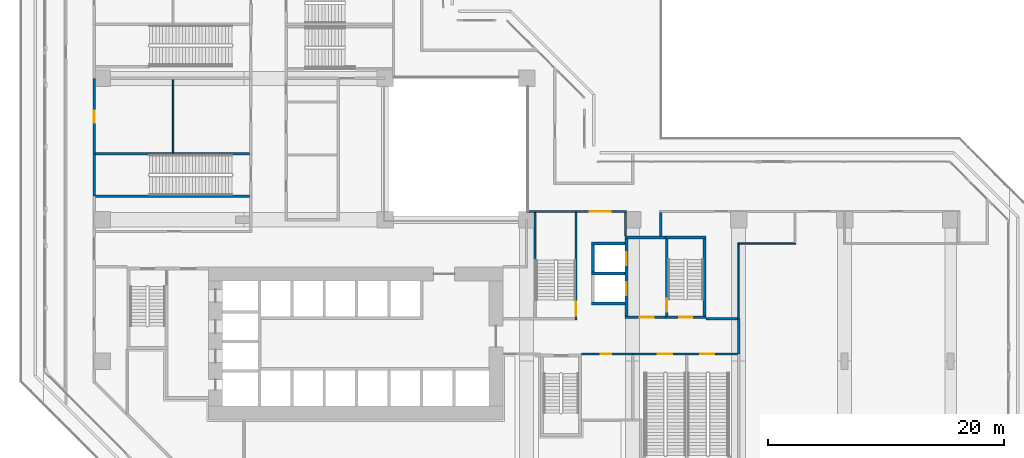
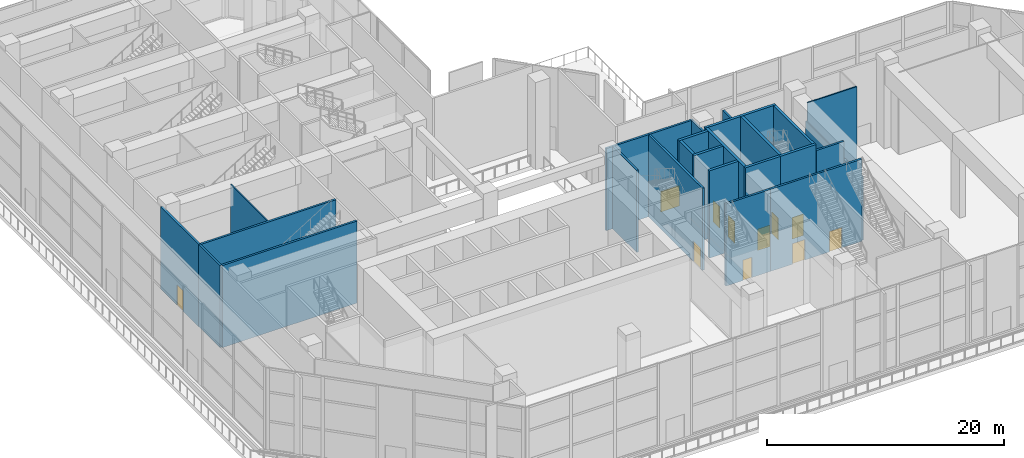
# One storey, part 14 of 28: 28 walls, 11 doors, 11 openings.
"""IFC4 building model written with IfcOpenShell, lengths in metres."""

from ifc_helpers import new_model, si_unit, direction, frame, frame_2d, origin, place, context, subcontext, project, spatial, rectangle, extrude, material, layer, layer_set, type_object, element, fill, save


model = new_model("IFC4")

# Units and contexts
model_context = context("Model", 3, precision=1e-05, world=origin(), true_north=direction((0.0, 1.0)))
body_context = subcontext(model_context, "Body", "Model", "MODEL_VIEW")
ifc_project = project(units=[si_unit("LENGTHUNIT", "METRE"), si_unit("AREAUNIT", "SQUARE_METRE"), si_unit("VOLUMEUNIT", "CUBIC_METRE"), si_unit("PLANEANGLEUNIT", "RADIAN"), si_unit("MASSUNIT", "GRAM", prefix="KILO")], contexts=[model_context])

# Site, building, storey
site_placement = place(None, origin())
site = spatial("IfcSite", under=ifc_project, at=site_placement, CompositionType="ELEMENT")
building_placement = place(site_placement, origin())
building = spatial("IfcBuilding", under=site, at=building_placement, Name="Chenar Terraces", CompositionType="ELEMENT")
storey_placement = place(building_placement, frame((0.0, 0.0, 26.39990234375)))
storey = spatial("IfcBuildingStorey", under=building, at=storey_placement, Name="L05", CompositionType="ELEMENT", Elevation=26.39990234375)

# Walls
ifc_material_1 = material(Name="Gypsum board on steel studs with mineral wool", Category="steel")
ifc_layer_1 = layer(ifc_material_1, 0.125)
ifc_layer_set_1 = layer_set([ifc_layer_1], Name="Gypsum board on steel studs with mineral wool")
wall_type_1 = type_object("IfcWallType", Name="Acoustic partition 125", PredefinedType="PARTITIONING", material=ifc_layer_set_1)
wall_1_placement = place(storey_placement, frame((6.0, 29.699951171875, 0.0), z_axis=(0.0, 0.0, 1.0), x_axis=(0.0, 1.0, 0.0)))
element("IfcWall", 1, at=wall_1_placement, inside=storey, type_object=wall_type_1, Name="Partition L05-027", PredefinedType="PARTITIONING", context=body_context, shape_type="SweptSolid", body=[
    extrude(rectangle(XDim=6.199951171875, YDim=0.125, at=frame_2d((3.10009765625, 0.0))), origin(), (0.0, 0.0, 1.0), 8.4501953125),
])
wall_2_placement = place(storey_placement, frame((54.0, 15.60009765625, 0.0), z_axis=(0.0, 0.0, 1.0), x_axis=(0.0, 1.0, 0.0)))
element("IfcWall", 2, at=wall_2_placement, inside=storey, type_object=wall_type_1, Name="Partition L05-091", PredefinedType="PARTITIONING", context=body_context, shape_type="SweptSolid", body=[
    extrude(rectangle(XDim=6.4619140625, YDim=0.125, at=frame_2d((3.23095703125, 0.0))), origin(), (0.0, 0.0, 1.0), 6.550048828125),
])
wall_3_placement = place(storey_placement, frame((54.06201171875, 22.0, 0.0), z_axis=(0.0, 0.0, 1.0), x_axis=(1.0, 0.0, 0.0)))
element("IfcWall", 3, at=wall_3_placement, inside=storey, type_object=wall_type_1, Name="Partition L05-092", PredefinedType="PARTITIONING", context=body_context, shape_type="SweptSolid", body=[
    extrude(rectangle(XDim=4.800048828125, YDim=0.125, at=frame_2d((2.39990234375, 0.0))), origin(), (0.0, 0.0, 1.0), 8.4501953125),
])

# Wall, opening, door
ifc_material_2 = material(Name="Concrete C70/85", Category="concrete")
ifc_layer_2 = layer(ifc_material_2, 0.25)
ifc_layer_set_2 = layer_set([ifc_layer_2], Name="Concrete C70/85")
wall_type_2 = type_object("IfcWallType", Name="Core wall 250 Concrete C70/85", PredefinedType="SHEAR", material=ifc_layer_set_2)
wall_4_placement = place(storey_placement, frame((47.77490234375, 15.72509765625, 0.0), z_axis=(0.0, 0.0, 1.0), x_axis=(1.0, 0.0, 0.0)))
wall_4 = element("IfcWall", 4, at=wall_4_placement, inside=storey, type_object=wall_type_2, Name="Core wall ST3_S L05", PredefinedType="SHEAR", context=body_context, shape_type="SweptSolid", body=[
    extrude(rectangle(XDim=3.4501953125, YDim=0.25, at=frame_2d((1.72509765625, 0.0))), origin(), (0.0, 0.0, 1.0), 9.0),
])
opening_1_placement = place(wall_4_placement, frame((1.175048828125, 0.0, 0.0)))
opening_1 = element("IfcOpeningElement", 5, at=opening_1_placement, cuts=wall_4, Name="Opening DL05-C8", PredefinedType="OPENING", context=body_context, shape_type="SweptSolid", body=[
    extrude(rectangle(XDim=1.10009765625, YDim=2.199951171875, at=frame_2d((0.550048828125, 1.10009765625))), frame((0.0, 0.135009765625, 0.0), z_axis=(0.0, -1.0, 0.0), x_axis=(1.0, 0.0, 0.0)), (0.0, 0.0, 1.0), 0.27001953125),
])
ifc_material_3 = material(Name="Steel-framed fire-resisting door leaf", Category="steel")
door_type_1 = type_object("IfcDoorType", Name="Stair fire door FD60 1100 x 2200", OperationType="SINGLE_SWING_LEFT", PredefinedType="DOOR", material=ifc_material_3)
door_1_placement = place(opening_1_placement, frame((1.10009765625, 0.0, 0.0), z_axis=(0.0, 0.0, 1.0), x_axis=(-1.0, 0.0, 0.0)))
door_1 = element("IfcDoor", 6, at=door_1_placement, inside=storey, type_object=door_type_1, Name="Stair door DL05-C8", OperationType="SINGLE_SWING_LEFT", OverallHeight=2.199951171875, OverallWidth=1.10009765625, PredefinedType="DOOR", context=body_context, shape_type="SweptSolid", body=[
    extrude(rectangle(XDim=1.10009765625, YDim=2.199951171875, at=frame_2d((0.550048828125, 1.10009765625))), frame((0.0, 0.02490234375, 0.0), z_axis=(0.0, -1.0, 0.0), x_axis=(1.0, 0.0, 0.0)), (0.0, 0.0, 1.0), 0.050048828125),
])
fill(opening_1, door_1)

# Wall
wall_5_placement = place(storey_placement, frame((47.77490234375, 22.47509765625, 0.0), z_axis=(0.0, 0.0, 1.0), x_axis=(1.0, 0.0, 0.0)))
element("IfcWall", 7, at=wall_5_placement, inside=storey, type_object=wall_type_2, Name="Core wall ST3_N L05", PredefinedType="SHEAR", context=body_context, shape_type="SweptSolid", body=[
    extrude(rectangle(XDim=3.4501953125, YDim=0.25, at=frame_2d((1.72509765625, 0.0))), origin(), (0.0, 0.0, 1.0), 9.0),
])

# Wall, opening, door
wall_6_placement = place(storey_placement, frame((47.89990234375, 15.85009765625, 0.0), z_axis=(0.0, 0.0, 1.0), x_axis=(0.0, 1.0, 0.0)))
wall_6 = element("IfcWall", 8, at=wall_6_placement, inside=storey, type_object=wall_type_2, Name="Core wall ST3_W L05", PredefinedType="SHEAR", context=body_context, shape_type="SweptSolid", body=[
    extrude(rectangle(XDim=6.5, YDim=0.25, at=frame_2d((3.25, 0.0))), origin(), (0.0, 0.0, 1.0), 9.0),
])
opening_2_placement = place(wall_6_placement, frame((0.35009765625, 0.0, 0.0)))
opening_2 = element("IfcOpeningElement", 9, at=opening_2_placement, cuts=wall_6, Name="Opening DL05-C11", PredefinedType="OPENING", context=body_context, shape_type="SweptSolid", body=[
    extrude(rectangle(XDim=1.10009765625, YDim=2.199951171875, at=frame_2d((0.550048828125, 1.10009765625))), frame((0.0, 0.135009765625, 0.0), z_axis=(0.0, -1.0, 0.0), x_axis=(1.0, 0.0, 0.0)), (0.0, 0.0, 1.0), 0.27001953125),
])
door_2_placement = place(opening_2_placement, frame((1.10009765625, 0.0, 0.0), z_axis=(0.0, 0.0, 1.0), x_axis=(-1.0, 0.0, 0.0)))
door_2 = element("IfcDoor", 10, at=door_2_placement, inside=storey, type_object=door_type_1, Name="Stair door DL05-C11", OperationType="SINGLE_SWING_RIGHT", OverallHeight=2.199951171875, OverallWidth=1.10009765625, PredefinedType="DOOR", context=body_context, shape_type="SweptSolid", body=[
    extrude(rectangle(XDim=1.10009765625, YDim=2.199951171875, at=frame_2d((0.550048828125, 1.10009765625))), frame((0.0, 0.02490234375, 0.0), z_axis=(0.0, -1.0, 0.0), x_axis=(1.0, 0.0, 0.0)), (0.0, 0.0, 1.0), 0.050048828125),
])
fill(opening_2, door_2)

# Wall
wall_7_placement = place(storey_placement, frame((51.10009765625, 15.85009765625, 0.0), z_axis=(0.0, 0.0, 1.0), x_axis=(0.0, 1.0, 0.0)))
element("IfcWall", 11, at=wall_7_placement, inside=storey, type_object=wall_type_2, Name="Core wall ST3_E L05", PredefinedType="SHEAR", context=body_context, shape_type="SweptSolid", body=[
    extrude(rectangle(XDim=6.5, YDim=0.25, at=frame_2d((3.25, 0.0))), origin(), (0.0, 0.0, 1.0), 9.0),
])

# Wall, opening, door
wall_8_placement = place(storey_placement, frame((44.35009765625, 15.72509765625, 0.0), z_axis=(0.0, 0.0, 1.0), x_axis=(1.0, 0.0, 0.0)))
wall_8 = element("IfcWall", 12, at=wall_8_placement, inside=storey, type_object=wall_type_2, Name="Core wall F3_LS L05", PredefinedType="SHEAR", context=body_context, shape_type="SweptSolid", body=[
    extrude(rectangle(XDim=3.4248046875, YDim=0.25, at=frame_2d((1.71240234375, 0.0))), origin(), (0.0, 0.0, 1.0), 9.0),
])
opening_3_placement = place(wall_8_placement, frame((1.25, 0.0, 0.0)))
opening_3 = element("IfcOpeningElement", 13, at=opening_3_placement, cuts=wall_8, Name="Opening DL05-C10", PredefinedType="OPENING", context=body_context, shape_type="SweptSolid", body=[
    extrude(rectangle(XDim=1.199951171875, YDim=2.199951171875, at=frame_2d((0.60009765625, 1.10009765625))), frame((0.0, 0.135009765625, 0.0), z_axis=(0.0, -1.0, 0.0), x_axis=(1.0, 0.0, 0.0)), (0.0, 0.0, 1.0), 0.27001953125),
])
ifc_material_4 = material(Name="Steel-framed fire-resisting door leaf", Category="steel")
door_type_2 = type_object("IfcDoorType", Name="Lobby fire door FD60 1200 x 2200", OperationType="SINGLE_SWING_LEFT", PredefinedType="DOOR", material=ifc_material_4)
door_3_placement = place(opening_3_placement, origin())
door_3 = element("IfcDoor", 14, at=door_3_placement, inside=storey, type_object=door_type_2, Name="Core door DL05-C10", OperationType="SINGLE_SWING_RIGHT", OverallHeight=2.199951171875, OverallWidth=1.199951171875, PredefinedType="DOOR", context=body_context, shape_type="SweptSolid", body=[
    extrude(rectangle(XDim=1.199951171875, YDim=2.199951171875, at=frame_2d((0.60009765625, 1.10009765625))), frame((0.0, 0.02490234375, 0.0), z_axis=(0.0, -1.0, 0.0), x_axis=(1.0, 0.0, 0.0)), (0.0, 0.0, 1.0), 0.050048828125),
])
fill(opening_3, door_3)

# Wall
wall_9_placement = place(storey_placement, frame((44.35009765625, 22.47509765625, 0.0), z_axis=(0.0, 0.0, 1.0), x_axis=(1.0, 0.0, 0.0)))
element("IfcWall", 15, at=wall_9_placement, inside=storey, type_object=wall_type_2, Name="Core wall F3_LN L05", PredefinedType="SHEAR", context=body_context, shape_type="SweptSolid", body=[
    extrude(rectangle(XDim=3.4248046875, YDim=0.25, at=frame_2d((1.71240234375, 0.0))), origin(), (0.0, 0.0, 1.0), 9.0),
])

# Wall, openings, doors
wall_10_placement = place(storey_placement, frame((44.47509765625, 15.85009765625, 0.0), z_axis=(0.0, 0.0, 1.0), x_axis=(0.0, 1.0, 0.0)))
wall_10 = element("IfcWall", 16, at=wall_10_placement, inside=storey, type_object=wall_type_2, Name="Core wall F3_LW L05", PredefinedType="SHEAR", context=body_context, shape_type="SweptSolid", body=[
    extrude(rectangle(XDim=6.5, YDim=0.25, at=frame_2d((3.25, 0.0))), origin(), (0.0, 0.0, 1.0), 9.0),
])
opening_4_placement = place(wall_10_placement, frame((1.75, 0.0, 0.0)))
opening_4 = element("IfcOpeningElement", 17, at=opening_4_placement, cuts=wall_10, Name="Opening DL05-LD4", PredefinedType="OPENING", context=body_context, shape_type="SweptSolid", body=[
    extrude(rectangle(XDim=1.10009765625, YDim=2.199951171875, at=frame_2d((0.550048828125, 1.10009765625))), frame((0.0, 0.135009765625, 0.0), z_axis=(0.0, -1.0, 0.0), x_axis=(1.0, 0.0, 0.0)), (0.0, 0.0, 1.0), 0.27001953125),
])
opening_5_placement = place(wall_10_placement, frame((4.300048828125, 0.0, 0.0)))
opening_5 = element("IfcOpeningElement", 18, at=opening_5_placement, cuts=wall_10, Name="Opening DL05-LD5", PredefinedType="OPENING", context=body_context, shape_type="SweptSolid", body=[
    extrude(rectangle(XDim=1.10009765625, YDim=2.199951171875, at=frame_2d((0.550048828125, 1.10009765625))), frame((0.0, 0.135009765625, 0.0), z_axis=(0.0, -1.0, 0.0), x_axis=(1.0, 0.0, 0.0)), (0.0, 0.0, 1.0), 0.27001953125),
])
ifc_material_5 = material(Name="Stainless steel", Category="steel")
door_type_3 = type_object("IfcDoorType", Name="Lift landing door 1100 x 2200 sliding", OperationType="DOUBLE_DOOR_SLIDING", PredefinedType="DOOR", material=ifc_material_5)
door_4_placement = place(opening_4_placement, origin())
door_4 = element("IfcDoor", 19, at=door_4_placement, inside=storey, type_object=door_type_3, Name="Landing door F3", OperationType="DOUBLE_DOOR_SLIDING", OverallHeight=2.199951171875, OverallWidth=1.10009765625, PredefinedType="DOOR", context=body_context, shape_type="SweptSolid", body=[
    extrude(rectangle(XDim=1.10009765625, YDim=2.199951171875, at=frame_2d((0.550048828125, 1.10009765625))), frame((0.0, 0.02490234375, 0.0), z_axis=(0.0, -1.0, 0.0), x_axis=(1.0, 0.0, 0.0)), (0.0, 0.0, 1.0), 0.050048828125),
])
fill(opening_4, door_4)
door_5_placement = place(opening_5_placement, origin())
door_5 = element("IfcDoor", 20, at=door_5_placement, inside=storey, type_object=door_type_3, Name="Landing door F4", OperationType="DOUBLE_DOOR_SLIDING", OverallHeight=2.199951171875, OverallWidth=1.10009765625, PredefinedType="DOOR", context=body_context, shape_type="SweptSolid", body=[
    extrude(rectangle(XDim=1.10009765625, YDim=2.199951171875, at=frame_2d((0.550048828125, 1.10009765625))), frame((0.0, 0.02490234375, 0.0), z_axis=(0.0, -1.0, 0.0), x_axis=(1.0, 0.0, 0.0)), (0.0, 0.0, 1.0), 0.050048828125),
])
fill(opening_5, door_5)

# Walls
for number, where, z_axis, x_axis, name in (
    (21, (41.5, 16.875, 0.0), (0.0, 0.0, 1.0), (1.0, 0.0, 0.0), "Core wall F3_SS L05"),
    (22, (41.5, 19.425048828125, 0.0), (0.0, 0.0, 1.0), (1.0, 0.0, 0.0), "Core wall F3_SM L05"),
    (23, (41.5, 21.97509765625, 0.0), (0.0, 0.0, 1.0), (1.0, 0.0, 0.0), "Core wall F4_SN L05"),
):
    element("IfcWall", number, at=place(storey_placement, frame(where, z_axis=z_axis, x_axis=x_axis)), inside=storey, type_object=wall_type_2, Name=name, PredefinedType="SHEAR", context=body_context, shape_type="SweptSolid", body=[
        extrude(rectangle(XDim=2.85009765625, YDim=0.25, at=frame_2d((1.425048828125, 0.0))), origin(), (0.0, 0.0, 1.0), 9.0),
    ])
wall_11_placement = place(storey_placement, frame((41.625, 19.550048828125, 0.0), z_axis=(0.0, 0.0, 1.0), x_axis=(0.0, 1.0, 0.0)))
element("IfcWall", 24, at=wall_11_placement, inside=storey, type_object=wall_type_2, Name="Core wall F4_SW L05", PredefinedType="SHEAR", context=body_context, shape_type="SweptSolid", body=[
    extrude(rectangle(XDim=2.300048828125, YDim=0.25, at=frame_2d((1.14990234375, 0.0))), origin(), (0.0, 0.0, 1.0), 9.0),
])

# Wall, opening, door
ifc_material_6 = material(Name="Gypsum board on steel studs with fire boards", Category="steel")
ifc_layer_3 = layer(ifc_material_6, 0.199951171875)
ifc_layer_set_3 = layer_set([ifc_layer_3], Name="Gypsum board on steel studs with fire boards")
wall_type_3 = type_object("IfcWallType", Name="Corridor wall 200", PredefinedType="PARTITIONING", material=ifc_layer_set_3)
wall_12_placement = place(storey_placement, frame((-0.699951171875, 29.60009765625, 0.0), z_axis=(0.0, 0.0, 1.0), x_axis=(0.0, 1.0, 0.0)))
wall_12 = element("IfcWall", 25, at=wall_12_placement, inside=storey, type_object=wall_type_3, Name="Partition L05-005", PredefinedType="PARTITIONING", context=body_context, shape_type="SweptSolid", body=[
    extrude(rectangle(XDim=6.39990234375, YDim=0.199951171875, at=frame_2d((3.199951171875, 0.0))), origin(), (0.0, 0.0, 1.0), 8.4501953125),
])
opening_6_placement = place(wall_12_placement, frame((2.64990234375, 0.0, 0.0)))
opening_6 = element("IfcOpeningElement", 26, at=opening_6_placement, cuts=wall_12, Name="Opening DL05-10", PredefinedType="OPENING", context=body_context, shape_type="SweptSolid", body=[
    extrude(rectangle(XDim=1.0, YDim=2.10009765625, at=frame_2d((0.5, 1.050048828125))), frame((0.0, 0.10986328125, 0.0), z_axis=(0.0, -1.0, 0.0), x_axis=(1.0, 0.0, 0.0)), (0.0, 0.0, 1.0), 0.219970703125),
])
ifc_material_7 = material(Name="Steel-framed fire-resisting door leaf", Category="steel")
door_type_4 = type_object("IfcDoorType", Name="Fire door FD60 1000 x 2100", OperationType="SINGLE_SWING_LEFT", PredefinedType="DOOR", material=ifc_material_7)
door_6_placement = place(opening_6_placement, frame((1.0, 0.0, 0.0), z_axis=(0.0, 0.0, 1.0), x_axis=(-1.0, 0.0, 0.0)))
door_6 = element("IfcDoor", 27, at=door_6_placement, inside=storey, type_object=door_type_4, Name="Door DL05-10", OperationType="SINGLE_SWING_LEFT", OverallHeight=2.10009765625, OverallWidth=1.0, PredefinedType="DOOR", context=body_context, shape_type="SweptSolid", body=[
    extrude(rectangle(XDim=1.0, YDim=2.10009765625, at=frame_2d((0.5, 1.050048828125))), frame((0.0, 0.02490234375, 0.0), z_axis=(0.0, -1.0, 0.0), x_axis=(1.0, 0.0, 0.0)), (0.0, 0.0, 1.0), 0.050048828125),
])
fill(opening_6, door_6)

wall_13_placement = place(storey_placement, frame((40.199951171875, 24.699951171875, 0.0), z_axis=(0.0, 0.0, 1.0), x_axis=(1.0, 0.0, 0.0)))
wall_13 = element("IfcWall", 28, at=wall_13_placement, inside=storey, type_object=wall_type_3, Name="Partition L05-073", PredefinedType="PARTITIONING", context=body_context, shape_type="SweptSolid", body=[
    extrude(rectangle(XDim=4.300048828125, YDim=0.199951171875, at=frame_2d((2.14990234375, 0.0))), origin(), (0.0, 0.0, 1.0), 8.4501953125),
])
opening_7_placement = place(wall_13_placement, frame((1.14990234375, 0.0, 0.0)))
opening_7 = element("IfcOpeningElement", 29, at=opening_7_placement, cuts=wall_13, Name="Opening DL05-14", PredefinedType="OPENING", context=body_context, shape_type="SweptSolid", body=[
    extrude(rectangle(XDim=1.800048828125, YDim=2.10009765625, at=frame_2d((0.89990234375, 1.050048828125))), frame((0.0, 0.10986328125, 0.0), z_axis=(0.0, -1.0, 0.0), x_axis=(1.0, 0.0, 0.0)), (0.0, 0.0, 1.0), 0.219970703125),
])
ifc_material_8 = material(Name="Steel-framed fire-resisting door leaf", Category="steel")
door_type_5 = type_object("IfcDoorType", Name="Fire double door FD60 1800 x 2100", OperationType="DOUBLE_DOOR_SINGLE_SWING", PredefinedType="DOOR", material=ifc_material_8)
door_7_placement = place(opening_7_placement, frame((1.800048828125, 0.0, 0.0), z_axis=(0.0, 0.0, 1.0), x_axis=(-1.0, 0.0, 0.0)))
door_7 = element("IfcDoor", 30, at=door_7_placement, inside=storey, type_object=door_type_5, Name="Door DL05-14", OperationType="DOUBLE_DOOR_SINGLE_SWING", OverallHeight=2.10009765625, OverallWidth=1.800048828125, PredefinedType="DOOR", context=body_context, shape_type="SweptSolid", body=[
    extrude(rectangle(XDim=1.800048828125, YDim=2.10009765625, at=frame_2d((0.89990234375, 1.050048828125))), frame((0.0, 0.02490234375, 0.0), z_axis=(0.0, -1.0, 0.0), x_axis=(1.0, 0.0, 0.0)), (0.0, 0.0, 1.0), 0.050048828125),
])
fill(opening_7, door_7)

wall_14_placement = place(storey_placement, frame((40.64990234375, 12.60009765625, 0.0), z_axis=(0.0, 0.0, 1.0), x_axis=(1.0, 0.0, 0.0)))
wall_14 = element("IfcWall", 31, at=wall_14_placement, inside=storey, type_object=wall_type_3, Name="Partition L05-075", PredefinedType="PARTITIONING", context=body_context, shape_type="SweptSolid", body=[
    extrude(rectangle(XDim=4.35009765625, YDim=0.199951171875, at=frame_2d((2.175048828125, 0.0))), origin(), (0.0, 0.0, 1.0), 8.4501953125),
])
opening_8_placement = place(wall_14_placement, frame((1.64990234375, 0.0, 0.0)))
opening_8 = element("IfcOpeningElement", 32, at=opening_8_placement, cuts=wall_14, Name="Opening DL05-3", PredefinedType="OPENING", context=body_context, shape_type="SweptSolid", body=[
    extrude(rectangle(XDim=0.89990234375, YDim=2.10009765625, at=frame_2d((0.449951171875, 1.050048828125))), frame((0.0, 0.10986328125, 0.0), z_axis=(0.0, -1.0, 0.0), x_axis=(1.0, 0.0, 0.0)), (0.0, 0.0, 1.0), 0.219970703125),
])
ifc_material_9 = material(Name="Steel-framed fire-resisting door leaf", Category="steel")
door_type_6 = type_object("IfcDoorType", Name="Fire door FD60 900 x 2100", OperationType="SINGLE_SWING_LEFT", PredefinedType="DOOR", material=ifc_material_9)
door_8_placement = place(opening_8_placement, frame((0.89990234375, 0.0, 0.0), z_axis=(0.0, 0.0, 1.0), x_axis=(-1.0, 0.0, 0.0)))
door_8 = element("IfcDoor", 33, at=door_8_placement, inside=storey, type_object=door_type_6, Name="Door DL05-3", OperationType="SINGLE_SWING_LEFT", OverallHeight=2.10009765625, OverallWidth=0.89990234375, PredefinedType="DOOR", context=body_context, shape_type="SweptSolid", body=[
    extrude(rectangle(XDim=0.89990234375, YDim=2.10009765625, at=frame_2d((0.449951171875, 1.050048828125))), frame((0.0, 0.02490234375, 0.0), z_axis=(0.0, -1.0, 0.0), x_axis=(1.0, 0.0, 0.0)), (0.0, 0.0, 1.0), 0.050048828125),
])
fill(opening_8, door_8)

# Walls
for number, where, z_axis, x_axis, name in (
    (34, (44.39990234375, 22.60009765625, 0.0), (0.0, 0.0, 1.0), (0.0, 1.0, 0.0), "Partition L05-076"),
    (35, (47.39990234375, 22.60009765625, 0.0), (0.0, 0.0, 1.0), (0.0, 1.0, 0.0), "Partition L05-084"),
):
    element("IfcWall", number, at=place(storey_placement, frame(where, z_axis=z_axis, x_axis=x_axis)), inside=storey, type_object=wall_type_3, Name=name, PredefinedType="PARTITIONING", context=body_context, shape_type="SweptSolid", body=[
        extrude(rectangle(XDim=2.0, YDim=0.199951171875, at=frame_2d((1.0, 0.0))), origin(), (0.0, 0.0, 1.0), 8.4501953125),
    ])
wall_15_placement = place(storey_placement, frame((51.22509765625, 15.60009765625, 0.0), z_axis=(0.0, 0.0, 1.0), x_axis=(1.0, 0.0, 0.0)))
element("IfcWall", 36, at=wall_15_placement, inside=storey, type_object=wall_type_3, Name="Partition L05-087", PredefinedType="PARTITIONING", context=body_context, shape_type="SweptSolid", body=[
    extrude(rectangle(XDim=2.6748046875, YDim=0.199951171875, at=frame_2d((1.33740234375, 0.0))), origin(), (0.0, 0.0, 1.0), 8.4501953125),
])
wall_16_placement = place(storey_placement, frame((54.0, 12.60009765625, 0.0), z_axis=(0.0, 0.0, 1.0), x_axis=(0.0, 1.0, 0.0)))
element("IfcWall", 37, at=wall_16_placement, inside=storey, type_object=wall_type_3, Name="Partition L05-090", PredefinedType="PARTITIONING", context=body_context, shape_type="SweptSolid", body=[
    extrude(rectangle(XDim=3.0, YDim=0.199951171875, at=frame_2d((1.5, 0.0))), origin(), (0.0, 0.0, 1.0), 6.550048828125),
])
ifc_material_10 = material(Name="Reinforced concrete C40/50", Category="concrete")
ifc_layer_4 = layer(ifc_material_10, 0.199951171875)
ifc_layer_set_4 = layer_set([ifc_layer_4], Name="Reinforced concrete C40/50")
wall_type_4 = type_object("IfcWallType", Name="Stair enclosure wall 200 concrete", PredefinedType="SOLIDWALL", material=ifc_layer_set_4)
wall_17_placement = place(storey_placement, frame((-0.699951171875, 26.0, 0.0), z_axis=(0.0, 0.0, 1.0), x_axis=(0.0, 1.0, 0.0)))
element("IfcWall", 38, at=wall_17_placement, inside=storey, type_object=wall_type_4, Name="Stair enclosure wall L05-004", PredefinedType="SOLIDWALL", context=body_context, shape_type="SweptSolid", body=[
    extrude(rectangle(XDim=3.60009765625, YDim=0.199951171875, at=frame_2d((1.800048828125, 0.0))), origin(), (0.0, 0.0, 1.0), 8.4501953125),
])
for number, where, z_axis, x_axis, name in (
    (39, (-0.60009765625, 26.0, 0.0), (0.0, 0.0, 1.0), (1.0, 0.0, 0.0), "Stair enclosure wall L05-015"),
    (40, (-0.60009765625, 29.60009765625, 0.0), (0.0, 0.0, 1.0), (1.0, 0.0, 0.0), "Stair enclosure wall L05-016"),
):
    element("IfcWall", number, at=place(storey_placement, frame(where, z_axis=z_axis, x_axis=x_axis)), inside=storey, type_object=wall_type_4, Name=name, PredefinedType="SOLIDWALL", context=body_context, shape_type="SweptSolid", body=[
        extrude(rectangle(XDim=13.10009765625, YDim=0.199951171875, at=frame_2d((6.550048828125, 0.0))), origin(), (0.0, 0.0, 1.0), 8.4501953125),
    ])
wall_18_placement = place(storey_placement, frame((36.0, 24.699951171875, 0.0), z_axis=(0.0, 0.0, 1.0), x_axis=(1.0, 0.0, 0.0)))
element("IfcWall", 41, at=wall_18_placement, inside=storey, type_object=wall_type_4, Name="Stair enclosure wall L05-069", PredefinedType="SOLIDWALL", context=body_context, shape_type="SweptSolid", body=[
    extrude(rectangle(XDim=4.199951171875, YDim=0.199951171875, at=frame_2d((2.10009765625, 0.0))), origin(), (0.0, 0.0, 1.0), 8.4501953125),
])

# Wall, opening, door
wall_19_placement = place(storey_placement, frame((40.199951171875, 15.5, 0.0), z_axis=(0.0, 0.0, 1.0), x_axis=(0.0, 1.0, 0.0)))
wall_19 = element("IfcWall", 42, at=wall_19_placement, inside=storey, type_object=wall_type_4, Name="Stair enclosure wall L05-072", PredefinedType="SOLIDWALL", context=body_context, shape_type="SweptSolid", body=[
    extrude(rectangle(XDim=9.10009765625, YDim=0.199951171875, at=frame_2d((4.550048828125, 0.0))), origin(), (0.0, 0.0, 1.0), 8.4501953125),
])
opening_9_placement = place(wall_19_placement, frame((0.35009765625, 0.0, 0.0)))
opening_9 = element("IfcOpeningElement", 43, at=opening_9_placement, cuts=wall_19, Name="Opening DL05-30", PredefinedType="OPENING", context=body_context, shape_type="SweptSolid", body=[
    extrude(rectangle(XDim=1.199951171875, YDim=2.10009765625, at=frame_2d((0.60009765625, 1.050048828125))), frame((0.0, 0.10986328125, 0.0), z_axis=(0.0, -1.0, 0.0), x_axis=(1.0, 0.0, 0.0)), (0.0, 0.0, 1.0), 0.219970703125),
])
ifc_material_11 = material(Name="Steel-framed fire-resisting door leaf", Category="steel")
door_type_7 = type_object("IfcDoorType", Name="Fire door FD120 1200 x 2100", OperationType="SINGLE_SWING_LEFT", PredefinedType="DOOR", material=ifc_material_11)
door_9_placement = place(opening_9_placement, origin())
door_9 = element("IfcDoor", 44, at=door_9_placement, inside=storey, type_object=door_type_7, Name="Door DL05-30", OperationType="SINGLE_SWING_LEFT", OverallHeight=2.10009765625, OverallWidth=1.199951171875, PredefinedType="DOOR", context=body_context, shape_type="SweptSolid", body=[
    extrude(rectangle(XDim=1.199951171875, YDim=2.10009765625, at=frame_2d((0.60009765625, 1.050048828125))), frame((0.0, 0.02490234375, 0.0), z_axis=(0.0, -1.0, 0.0), x_axis=(1.0, 0.0, 0.0)), (0.0, 0.0, 1.0), 0.050048828125),
])
fill(opening_9, door_9)

# Wall, openings, doors
wall_20_placement = place(storey_placement, frame((45.0, 12.60009765625, 0.0), z_axis=(0.0, 0.0, 1.0), x_axis=(1.0, 0.0, 0.0)))
wall_20 = element("IfcWall", 45, at=wall_20_placement, inside=storey, type_object=wall_type_4, Name="Stair enclosure wall L05-079", PredefinedType="SOLIDWALL", context=body_context, shape_type="SweptSolid", body=[
    extrude(rectangle(XDim=8.89990234375, YDim=0.199951171875, at=frame_2d((4.449951171875, 0.0))), origin(), (0.0, 0.0, 1.0), 8.4501953125),
])
opening_10_placement = place(wall_20_placement, frame((5.75, 0.0, 0.0)))
opening_10 = element("IfcOpeningElement", 46, at=opening_10_placement, cuts=wall_20, Name="Opening DL05-31", PredefinedType="OPENING", context=body_context, shape_type="SweptSolid", body=[
    extrude(rectangle(XDim=1.199951171875, YDim=2.10009765625, at=frame_2d((0.60009765625, 1.050048828125))), frame((0.0, 0.10986328125, 0.0), z_axis=(0.0, -1.0, 0.0), x_axis=(1.0, 0.0, 0.0)), (0.0, 0.0, 1.0), 0.219970703125),
])
opening_11_placement = place(wall_20_placement, frame((2.14990234375, 0.0, 0.0)))
opening_11 = element("IfcOpeningElement", 47, at=opening_11_placement, cuts=wall_20, Name="Opening DL05-35", PredefinedType="OPENING", context=body_context, shape_type="SweptSolid", body=[
    extrude(rectangle(XDim=1.199951171875, YDim=2.10009765625, at=frame_2d((0.60009765625, 1.050048828125))), frame((0.0, 0.10986328125, 0.0), z_axis=(0.0, -1.0, 0.0), x_axis=(1.0, 0.0, 0.0)), (0.0, 0.0, 1.0), 0.219970703125),
])
door_10_placement = place(opening_10_placement, frame((1.199951171875, 0.0, 0.0), z_axis=(0.0, 0.0, 1.0), x_axis=(-1.0, 0.0, 0.0)))
door_10 = element("IfcDoor", 48, at=door_10_placement, inside=storey, type_object=door_type_7, Name="Door DL05-31", OperationType="SINGLE_SWING_RIGHT", OverallHeight=2.10009765625, OverallWidth=1.199951171875, PredefinedType="DOOR", context=body_context, shape_type="SweptSolid", body=[
    extrude(rectangle(XDim=1.199951171875, YDim=2.10009765625, at=frame_2d((0.60009765625, 1.050048828125))), frame((0.0, 0.02490234375, 0.0), z_axis=(0.0, -1.0, 0.0), x_axis=(1.0, 0.0, 0.0)), (0.0, 0.0, 1.0), 0.050048828125),
])
fill(opening_10, door_10)
door_11_placement = place(opening_11_placement, frame((1.199951171875, 0.0, 0.0), z_axis=(0.0, 0.0, 1.0), x_axis=(-1.0, 0.0, 0.0)))
door_11 = element("IfcDoor", 49, at=door_11_placement, inside=storey, type_object=door_type_7, Name="Door DL05-35", OperationType="SINGLE_SWING_LEFT", OverallHeight=2.10009765625, OverallWidth=1.199951171875, PredefinedType="DOOR", context=body_context, shape_type="SweptSolid", body=[
    extrude(rectangle(XDim=1.199951171875, YDim=2.10009765625, at=frame_2d((0.60009765625, 1.050048828125))), frame((0.0, 0.02490234375, 0.0), z_axis=(0.0, -1.0, 0.0), x_axis=(1.0, 0.0, 0.0)), (0.0, 0.0, 1.0), 0.050048828125),
])
fill(opening_11, door_11)

# Wall
wall_21_placement = place(storey_placement, frame((36.715087890625, 20.56005859375, 0.0), z_axis=(0.0, 0.0, 1.0), x_axis=(0.0, 1.0, 0.0)))
element("IfcWall", 50, at=wall_21_placement, inside=storey, type_object=wall_type_4, Name="Stair enclosure wall L05-PS1-006", PredefinedType="SOLIDWALL", context=body_context, shape_type="SweptSolid", body=[
    extrude(rectangle(XDim=4.0400390625, YDim=0.199951171875, at=frame_2d((2.02001953125, 0.0))), origin(), (0.0, 0.0, 1.0), 8.4501953125),
])

save(model, "model.ifc")
